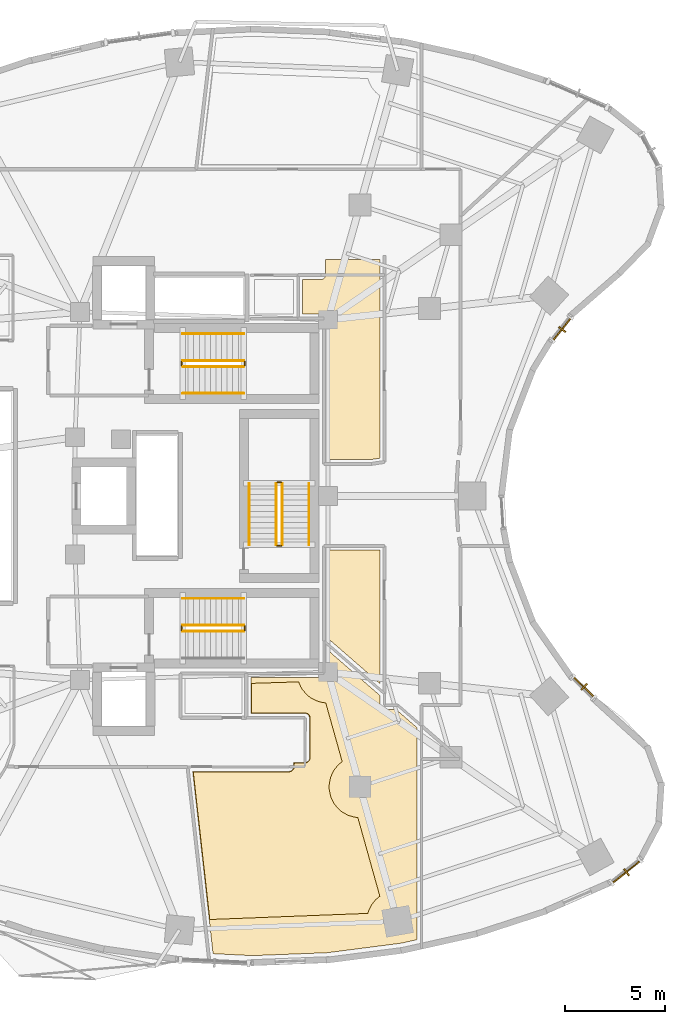
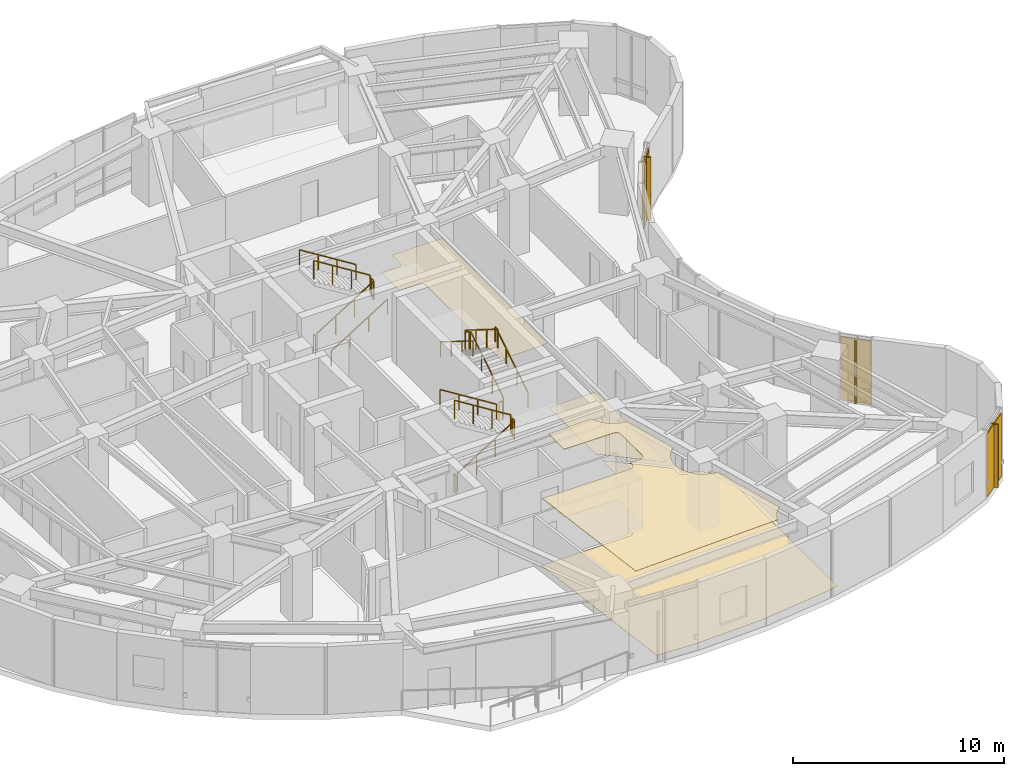
# One storey, part 14 of 15: 17 railings, 6 shading devices, 4 coverings.
"""IFC4 building model written with IfcOpenShell, lengths in metres."""

import ifcopenshell
import ifcopenshell.guid

model = None  # the IFC model being written
_history = None  # IfcOwnerHistory: only IFC2X3 demands one
_inside = {}  # id of a spatial element -> (the spatial element, [elements in it])
_under = {}  # id of a project, library or spatial element -> (it, [spatial elements below it])
_declared = {}  # id of a project -> (the project, [libraries it declares])
_typed = {}  # id of a type object -> (the type object, [elements of that type])
_made_of = {}  # id of a material, layer set ... -> (it, [elements and type objects made of it])


def new_model(schema):
    """Start an empty IFC model of exactly this schema.

    Asked for "IFC4X3", IfcOpenShell would pick the latest addendum, in which some entities
    have other attributes; the version numbers below select the first issue.
    IFC2X3 requires an IfcOwnerHistory on every rooted entity: one is made here for all.
    """
    global model, _history
    if schema == "IFC4X3":
        model = ifcopenshell.file(schema_version=(4, 3, 0, 0))
    else:
        model = ifcopenshell.file(schema=schema)
    _inside.clear()
    _under.clear()
    _declared.clear()
    _typed.clear()
    _made_of.clear()
    _history = None
    if model.schema == "IFC2X3":
        org = make("IfcOrganization", Name="unknown")
        user = make(
            "IfcPersonAndOrganization",
            ThePerson=make("IfcPerson", FamilyName="unknown"),
            TheOrganization=org,
        )
        app = make(
            "IfcApplication",
            ApplicationDeveloper=org,
            Version="unknown",
            ApplicationFullName="unknown",
            ApplicationIdentifier="unknown",
        )
        _history = make(
            "IfcOwnerHistory",
            OwningUser=user,
            OwningApplication=app,
            ChangeAction="ADDED",
            CreationDate=0,
        )
    return model


def make(cls, **values):
    """One entity of the class cls with the attributes given. An attribute that is None is left unset."""
    return model.create_entity(
        cls, **{name: value for name, value in values.items() if value is not None}
    )


def rooted(cls, **values):
    """An entity with a GlobalId (a new one), such as an element, a storey or a relation."""
    return make(cls, GlobalId=ifcopenshell.guid.new(), OwnerHistory=_history, **values)


def si_unit(unit_type, name, prefix=None):
    """IfcSIUnit, for example si_unit("LENGTHUNIT", "METRE", prefix="MILLI")."""
    return make("IfcSIUnit", UnitType=unit_type, Prefix=prefix, Name=name)


def assignment(units):
    """IfcUnitAssignment: the units of a project."""
    return None if units is None else make("IfcUnitAssignment", Units=units)


def point(xyz):
    """IfcCartesianPoint."""
    return None if xyz is None else make("IfcCartesianPoint", Coordinates=xyz)


def direction(xyz):
    """IfcDirection."""
    return None if xyz is None else make("IfcDirection", DirectionRatios=xyz)


def frame(location, z_axis=None, x_axis=None):
    """IfcAxis2Placement3D, a coordinate frame: its origin and axes. An axis left out is left unset."""
    return make(
        "IfcAxis2Placement3D",
        Location=point(location),
        Axis=direction(z_axis),
        RefDirection=direction(x_axis),
    )


def frame_2d(location, x_axis=None):
    """IfcAxis2Placement2D, a coordinate frame in the plane: its origin and x axis."""
    return make(
        "IfcAxis2Placement2D", Location=point(location), RefDirection=direction(x_axis)
    )


def origin():
    """The frame at (0, 0, 0) with its axes left unset."""
    return frame((0.0, 0.0, 0.0))


def origin_2d():
    """The frame at (0, 0) in the plane with its x axis left unset."""
    return frame_2d((0.0, 0.0))


def place(relative_to, where):
    """IfcLocalPlacement: puts the frame where relative to a parent placement (None: the world)."""
    return make(
        "IfcLocalPlacement", PlacementRelTo=relative_to, RelativePlacement=where
    )


def context(
    kind, dimensions, precision=None, world=None, true_north=None, identifier=None
):
    """IfcGeometricRepresentationContext, for example the 3D "Model" context."""
    return make(
        "IfcGeometricRepresentationContext",
        ContextIdentifier=identifier,
        ContextType=kind,
        CoordinateSpaceDimension=dimensions,
        Precision=precision,
        WorldCoordinateSystem=world,
        TrueNorth=true_north,
    )


def subcontext(parent, identifier, kind, view, scale=None):
    """IfcGeometricRepresentationSubContext, for example "Body" below "Model"."""
    return make(
        "IfcGeometricRepresentationSubContext",
        ContextIdentifier=identifier,
        ContextType=kind,
        ParentContext=parent,
        TargetScale=scale,
        TargetView=view,
    )


def project(units=None, contexts=None):
    """IfcProject with its units and contexts."""
    return rooted(
        "IfcProject",
        Name="project",
        RepresentationContexts=contexts,
        UnitsInContext=assignment(units),
    )


def spatial(cls, under=None, at=None, **own):
    """A site, building, storey or space (cls), placed at a placement, below another one or the project."""
    s = rooted(cls, ObjectPlacement=at, **own)
    if under is not None:
        _under.setdefault(under.id(), (under, []))[1].append(s)
    return s


def polyline(points):
    """IfcPolyline through the points."""
    return make("IfcPolyline", Points=[point(p) for p in points])


def profile(cls, at=None, kind="AREA", **sizes):
    """A parametric profile (cls). Its sizes go by their IFC names, for example OverallWidth=200.0."""
    return make(cls, ProfileType=kind, Position=at, **sizes)


def rectangle(**sizes):
    """IfcRectangleProfileDef."""
    return profile("IfcRectangleProfileDef", **sizes)


def outline(outer, holes=None, kind="AREA"):
    """IfcArbitraryClosedProfileDef: a profile drawn as a closed curve; with holes, ...WithVoids."""
    if holes is None:
        return make("IfcArbitraryClosedProfileDef", ProfileType=kind, OuterCurve=outer)
    return make(
        "IfcArbitraryProfileDefWithVoids",
        ProfileType=kind,
        OuterCurve=outer,
        InnerCurves=holes,
    )


def extrude(swept, where, along, depth):
    """IfcExtrudedAreaSolid: the profile swept, set in the frame where, extruded along a direction by depth."""
    return make(
        "IfcExtrudedAreaSolid",
        SweptArea=swept,
        Position=where,
        ExtrudedDirection=direction(along),
        Depth=depth,
    )


def shape(context_of_items, identifier, shape_type, items):
    """IfcShapeRepresentation: the items that make up one representation, for example the "Body"."""
    return make(
        "IfcShapeRepresentation",
        ContextOfItems=context_of_items,
        RepresentationIdentifier=identifier,
        RepresentationType=shape_type,
        Items=items,
    )


def material(Name=None, Category=None):
    """IfcMaterial."""
    return make("IfcMaterial", Name=Name, Category=Category)


def layer(
    of_material, thickness, ventilated=None, Name=None, Category=None, Priority=None
):
    """IfcMaterialLayer: one layer of a wall or slab, of a material (None: an air gap)."""
    return make(
        "IfcMaterialLayer",
        Material=of_material,
        LayerThickness=thickness,
        IsVentilated=ventilated,
        Name=Name,
        Category=Category,
        Priority=Priority,
    )


def layer_set(layers, Name=None):
    """IfcMaterialLayerSet."""
    return make("IfcMaterialLayerSet", MaterialLayers=layers, LayerSetName=Name)


def made_of(thing, what):
    """Note that an element or type object is made of a material, layer set ...; save() writes the relation."""
    if what is not None:
        _made_of.setdefault(what.id(), (what, []))[1].append(thing)
    return thing


def type_object(cls, material=None, **own):
    """A type object (cls), such as IfcWallType, which elements share."""
    return made_of(rooted(cls, **own), material)


def element(
    cls,
    number,
    at=None,
    inside=None,
    cuts=None,
    type_object=None,
    material=None,
    context=None,
    identifier="Body",
    shape_type=None,
    held_by="IfcProductDefinitionShape",
    body=None,
    shapes=None,
    **own,
):
    """One element of the class cls, such as IfcWall. Its Tag is "e" and its number.

    at: its placement. inside: the storey or other place that contains it. cuts: it is an
    opening in that element (IfcRelVoidsElement). A single representation is given by context,
    identifier, shape_type and body (its items); several are given by shapes. held_by: the class
    of the entity that holds the representations. save() writes the other relations.
    """
    e = rooted(cls, Tag="e%d" % number, ObjectPlacement=at, **own)
    if body is not None:
        shapes = [shape(context, identifier, shape_type, body)]
    if shapes is not None:
        e.Representation = make(held_by, Representations=shapes)
    if inside is not None:
        _inside.setdefault(inside.id(), (inside, []))[1].append(e)
    if cuts is not None:
        rooted(
            "IfcRelVoidsElement", RelatingBuildingElement=cuts, RelatedOpeningElement=e
        )
    if type_object is not None:
        _typed.setdefault(type_object.id(), (type_object, []))[1].append(e)
    return made_of(e, material)


def aggregate(whole, parts):
    """IfcRelAggregates: a whole, such as a stair, and the parts it consists of."""
    return rooted("IfcRelAggregates", RelatingObject=whole, RelatedObjects=parts)


def save(model, path):
    """Write the relations noted so far, then the file.

    IfcRelAggregates (storeys below a building ...), IfcRelContainedInSpatialStructure (elements
    in a storey), IfcRelDefinesByType, IfcRelAssociatesMaterial and IfcRelDeclares: one each for
    every whole, place, type object, material and project.
    """
    for whole, parts in _under.values():
        aggregate(whole, parts)
    for where, things in _inside.values():
        rooted(
            "IfcRelContainedInSpatialStructure",
            RelatedElements=things,
            RelatingStructure=where,
        )
    for kind, things in _typed.values():
        rooted("IfcRelDefinesByType", RelatedObjects=things, RelatingType=kind)
    for what, things in _made_of.values():
        rooted("IfcRelAssociatesMaterial", RelatedObjects=things, RelatingMaterial=what)
    for by, libraries in _declared.values():
        rooted("IfcRelDeclares", RelatingContext=by, RelatedDefinitions=libraries)
    model.write(path)


model = new_model("IFC4")

# Units and contexts
model_context = context("Model", 3, precision=1e-05, world=origin(), true_north=direction((0.0, 1.0)))
body_context = subcontext(model_context, "Body", "Model", "MODEL_VIEW")
ifc_project = project(units=[si_unit("LENGTHUNIT", "METRE"), si_unit("AREAUNIT", "SQUARE_METRE"), si_unit("VOLUMEUNIT", "CUBIC_METRE"), si_unit("PLANEANGLEUNIT", "RADIAN"), si_unit("MASSUNIT", "GRAM", prefix="KILO")], contexts=[model_context])

# Site, building, storey
site_placement = place(None, origin())
site = spatial("IfcSite", under=ifc_project, at=site_placement, CompositionType="ELEMENT")
building_placement = place(site_placement, origin())
building = spatial("IfcBuilding", under=site, at=building_placement, Name="Korentha Bioscience Tower", CompositionType="ELEMENT")
storey_placement = place(building_placement, frame((0.0, 0.0, 72.0)))
storey = spatial("IfcBuildingStorey", under=building, at=storey_placement, Name="L16", CompositionType="ELEMENT", Elevation=72.0)

# Railings
ifc_material_1 = material(Name="Stainless Steel 304", Category="steel")
railing_type_1 = type_object("IfcRailingType", Name="Brushed Stainless Stair Handrail 900", PredefinedType="HANDRAIL", material=ifc_material_1)
railing_1_placement = place(storey_placement, frame((30.25, 32.14990234375, 0.175048828125)))
element("IfcRailing", 1, at=railing_1_placement, inside=storey, type_object=railing_type_1, Name="L16 ST-1 stair handrail 1", PredefinedType="HANDRAIL", context=body_context, shape_type="SweptSolid", body=[
    extrude(rectangle(XDim=0.048095703125, YDim=0.048095703125, at=origin_2d()), frame((0.0, 0.0, 0.8759765625), z_axis=(0.847998304005, 0.0, 0.529998940003), x_axis=(0.0, 1.0, 0.0)), (0.0, 0.0, 1.0), 3.632080078125),
    extrude(rectangle(XDim=0.0419921875, YDim=0.0419921875, at=origin_2d()), origin(), (0.0, 0.0, 1.0), 0.851806640625),
    extrude(rectangle(XDim=0.0419921875, YDim=0.0419921875, at=origin_2d()), frame((1.026611328125, 0.0, 0.6416015625)), (0.0, 0.0, 1.0), 0.851806640625),
    extrude(rectangle(XDim=0.0419921875, YDim=0.0419921875, at=origin_2d()), frame((2.053466796875, 0.0, 1.283447265625)), (0.0, 0.0, 1.0), 0.851806640625),
    extrude(rectangle(XDim=0.0419921875, YDim=0.0419921875, at=origin_2d()), frame((3.080078125, 0.0, 1.925048828125)), (0.0, 0.0, 1.0), 0.851806640625),
])
for number, where, name in (
    (2, (33.330078125, 35.14990234375, 2.27490234375), "L16 ST-1 stair handrail 2"),
    (3, (33.330078125, 21.85009765625, 2.27490234375), "L16 ST-2 stair handrail 2"),
):
    element("IfcRailing", number, at=place(storey_placement, frame(where)), inside=storey, type_object=railing_type_1, Name=name, PredefinedType="HANDRAIL", context=body_context, shape_type="SweptSolid", body=[
        extrude(rectangle(XDim=0.048095703125, YDim=0.048095703125, at=origin_2d()), frame((0.0, 0.0, 0.8759765625), z_axis=(-0.847998304005, 0.0, 0.529998940003), x_axis=(0.0, -1.0, 0.0)), (0.0, 0.0, 1.0), 3.632080078125),
        extrude(rectangle(XDim=0.0419921875, YDim=0.0419921875, at=origin_2d()), origin(), (0.0, 0.0, 1.0), 0.851806640625),
        extrude(rectangle(XDim=0.0419921875, YDim=0.0419921875, at=origin_2d()), frame((-1.026611328125, 0.0, 0.6416015625)), (0.0, 0.0, 1.0), 0.851806640625),
        extrude(rectangle(XDim=0.0419921875, YDim=0.0419921875, at=origin_2d()), frame((-2.053466796875, 0.0, 1.283447265625)), (0.0, 0.0, 1.0), 0.851806640625),
        extrude(rectangle(XDim=0.0419921875, YDim=0.0419921875, at=origin_2d()), frame((-3.080078125, 0.0, 1.925048828125)), (0.0, 0.0, 1.0), 0.851806640625),
    ])
railing_2_placement = place(storey_placement, frame((36.60009765625, 24.550048828125, 0.175048828125)))
element("IfcRailing", 4, at=railing_2_placement, inside=storey, type_object=railing_type_1, Name="L16 ST-3 stair handrail 1", PredefinedType="HANDRAIL", context=body_context, shape_type="SweptSolid", body=[
    extrude(rectangle(XDim=0.048095703125, YDim=0.048095703125, at=origin_2d()), frame((0.0, 0.0, 0.8759765625), z_axis=(0.0, 0.847979421464, 0.530029150871), x_axis=(-1.0, 0.0, 0.0)), (0.0, 0.0, 1.0), 3.632080078125),
    extrude(rectangle(XDim=0.0419921875, YDim=0.0419921875, at=origin_2d()), origin(), (0.0, 0.0, 1.0), 0.851806640625),
    extrude(rectangle(XDim=0.0419921875, YDim=0.0419921875, at=origin_2d()), frame((0.0, 1.026611328125, 0.6416015625)), (0.0, 0.0, 1.0), 0.851806640625),
    extrude(rectangle(XDim=0.0419921875, YDim=0.0419921875, at=origin_2d()), frame((0.0, 2.05322265625, 1.283447265625)), (0.0, 0.0, 1.0), 0.851806640625),
    extrude(rectangle(XDim=0.0419921875, YDim=0.0419921875, at=origin_2d()), frame((0.0, 3.079833984375, 1.925048828125)), (0.0, 0.0, 1.0), 0.851806640625),
])
railing_3_placement = place(storey_placement, frame((33.60009765625, 27.6298828125, 2.27490234375)))
element("IfcRailing", 5, at=railing_3_placement, inside=storey, type_object=railing_type_1, Name="L16 ST-3 stair handrail 2", PredefinedType="HANDRAIL", context=body_context, shape_type="SweptSolid", body=[
    extrude(rectangle(XDim=0.048095703125, YDim=0.048095703125, at=origin_2d()), frame((0.0, 0.0, 0.8759765625), z_axis=(0.0, -0.847979421464, 0.530029150871), x_axis=(1.0, 0.0, 0.0)), (0.0, 0.0, 1.0), 3.632080078125),
    extrude(rectangle(XDim=0.0419921875, YDim=0.0419921875, at=origin_2d()), origin(), (0.0, 0.0, 1.0), 0.851806640625),
    extrude(rectangle(XDim=0.0419921875, YDim=0.0419921875, at=origin_2d()), frame((0.0, -1.026611328125, 0.6416015625)), (0.0, 0.0, 1.0), 0.851806640625),
    extrude(rectangle(XDim=0.0419921875, YDim=0.0419921875, at=origin_2d()), frame((0.0, -2.05322265625, 1.283447265625)), (0.0, 0.0, 1.0), 0.851806640625),
    extrude(rectangle(XDim=0.0419921875, YDim=0.0419921875, at=origin_2d()), frame((0.0, -3.079833984375, 1.925048828125)), (0.0, 0.0, 1.0), 0.851806640625),
])

# Covering
ifc_material_2 = material(Name="Antimicrobial Mineral Fibre Board", Category="gypsum")
ifc_layer_1 = layer(ifc_material_2, 0.034912109375, Name="Antimicrobial Mineral Fibre Board")
ifc_layer_set_1 = layer_set([ifc_layer_1], Name="Antimicrobial Mineral Fibre Board (CL-MF35)")
covering_type_1 = type_object("IfcCoveringType", Name="Mineral-Fibre Cleanroom Suspended Ceiling 35", PredefinedType="CEILING", material=ifc_layer_set_1)
covering_1_placement = place(storey_placement, frame((0.0, 0.0, 3.864990234375)))
element("IfcCovering", 6, at=covering_1_placement, inside=storey, type_object=covering_type_1, Name="L16 Senior Scientist Corner Office 05 Acoustic Ceiling", PredefinedType="CEILING", context=body_context, shape_type="SweptSolid", body=[
    extrude(outline(polyline([(35.6123046875, 13.140380859375), (35.734130859375, 13.17724609375), (35.8232421875, 13.266845703125), (35.857177734375, 13.3623046875), (35.860107421875, 13.590087890625), (36.462646484375, 13.59765625), (36.57421875, 13.656982421875), (36.64453125, 13.761962890625), (36.659912109375, 13.85009765625), (36.659912109375, 15.85009765625), (36.63525390625, 15.960693359375), (36.554443359375, 16.05908203125), (36.4130859375, 16.109619140625), (33.7099609375, 16.110107421875), (33.7099609375, 17.58642578125), (36.080078125, 17.66259765625), (36.18310546875, 17.419189453125), (36.26123046875, 17.288818359375), (36.4541015625, 17.053955078125), (36.566650390625, 16.951904296875), (36.68896484375, 16.861083984375), (36.956787109375, 16.718017578125), (37.24755859375, 16.6298828125), (37.4423828125, 16.605224609375), (38.267333984375, 13.65673828125), (38.065185546875, 13.48828125), (37.872314453125, 13.25341796875), (37.794189453125, 13.123046875), (37.677978515625, 12.84228515625), (37.61865234375, 12.544189453125), (37.611083984375, 12.392333984375), (37.61865234375, 12.240478515625), (37.677978515625, 11.9423828125), (37.729248046875, 11.799072265625), (37.872314453125, 11.53125), (38.065185546875, 11.29638671875), (38.177978515625, 11.194091796875), (38.300048828125, 11.103515625), (38.568115234375, 10.960205078125), (38.85888671875, 10.8720703125), (39.053466796875, 10.84765625), (40.15869140625, 6.897705078125), (39.95654296875, 6.729248046875), (39.763671875, 6.494384765625), (39.62060546875, 6.2265625), (39.556884765625, 6.034423828125), (31.619384765625, 5.72607421875), (30.787841796875, 13.139892578125), (35.6123046875, 13.140380859375)])), origin(), (0.0, 0.0, 1.0), 0.034912109375),
])

# Railings
ifc_material_3 = material(Name="Painted Steel S275", Category="steel")
railing_type_2 = type_object("IfcRailingType", Name="Painted Steel Stair Well Guardrail 1100", PredefinedType="GUARDRAIL", material=ifc_material_3)
railing_4_placement = place(storey_placement, frame((30.25, 33.5, 0.175048828125)))
element("IfcRailing", 7, at=railing_4_placement, inside=storey, type_object=railing_type_2, Name="L16 ST-1 stair guard 1", PredefinedType="GUARDRAIL", context=body_context, shape_type="SweptSolid", body=[
    extrude(rectangle(XDim=0.048095703125, YDim=0.048095703125, at=origin_2d()), frame((0.0, 0.0, 1.076171875), z_axis=(0.847998304005, 0.0, 0.529998940003), x_axis=(0.0, 1.0, 0.0)), (0.0, 0.0, 1.0), 3.632080078125),
    extrude(rectangle(XDim=0.0419921875, YDim=0.0419921875, at=origin_2d()), origin(), (0.0, 0.0, 1.0), 1.052001953125),
    extrude(rectangle(XDim=0.0419921875, YDim=0.0419921875, at=origin_2d()), frame((1.026611328125, 0.0, 0.6416015625)), (0.0, 0.0, 1.0), 1.052001953125),
    extrude(rectangle(XDim=0.0419921875, YDim=0.0419921875, at=origin_2d()), frame((2.053466796875, 0.0, 1.283447265625)), (0.0, 0.0, 1.0), 1.052001953125),
    extrude(rectangle(XDim=0.0419921875, YDim=0.0419921875, at=origin_2d()), frame((3.080078125, 0.0, 1.925048828125)), (0.0, 0.0, 1.0), 1.052001953125),
])
railing_5_placement = place(storey_placement, frame((33.3798828125, 33.550048828125, 2.10009765625)))
element("IfcRailing", 8, at=railing_5_placement, inside=storey, type_object=railing_type_2, Name="L16 ST-1 stair guard 2", PredefinedType="GUARDRAIL", context=body_context, shape_type="SweptSolid", body=[
    extrude(rectangle(XDim=0.048095703125, YDim=0.048095703125, at=origin_2d()), frame((0.0, 0.0, 1.076171875), z_axis=(0.0, 1.0, 0.0), x_axis=(-1.0, 0.0, 0.0)), (0.0, 0.0, 1.0), 0.199951171875),
    extrude(rectangle(XDim=0.0419921875, YDim=0.0419921875, at=origin_2d()), origin(), (0.0, 0.0, 1.0), 1.052001953125),
    extrude(rectangle(XDim=0.0419921875, YDim=0.0419921875, at=origin_2d()), frame((0.0, 0.199951171875, 0.0)), (0.0, 0.0, 1.0), 1.052001953125),
])
railing_6_placement = place(storey_placement, frame((33.330078125, 33.800048828125, 2.27490234375)))
element("IfcRailing", 9, at=railing_6_placement, inside=storey, type_object=railing_type_2, Name="L16 ST-1 stair guard 3", PredefinedType="GUARDRAIL", context=body_context, shape_type="SweptSolid", body=[
    extrude(rectangle(XDim=0.048095703125, YDim=0.048095703125, at=origin_2d()), frame((0.0, 0.0, 1.076171875), z_axis=(-0.847998304005, 0.0, 0.529998940003), x_axis=(0.0, -1.0, 0.0)), (0.0, 0.0, 1.0), 3.632080078125),
    extrude(rectangle(XDim=0.0419921875, YDim=0.0419921875, at=origin_2d()), origin(), (0.0, 0.0, 1.0), 1.052001953125),
    extrude(rectangle(XDim=0.0419921875, YDim=0.0419921875, at=origin_2d()), frame((-1.026611328125, 0.0, 0.6416015625)), (0.0, 0.0, 1.0), 1.052001953125),
    extrude(rectangle(XDim=0.0419921875, YDim=0.0419921875, at=origin_2d()), frame((-2.053466796875, 0.0, 1.283447265625)), (0.0, 0.0, 1.0), 1.052001953125),
    extrude(rectangle(XDim=0.0419921875, YDim=0.0419921875, at=origin_2d()), frame((-3.080078125, 0.0, 1.925048828125)), (0.0, 0.0, 1.0), 1.052001953125),
])
railing_7_placement = place(storey_placement, frame((30.199951171875, 33.550048828125, 0.0)))
element("IfcRailing", 10, at=railing_7_placement, inside=storey, type_object=railing_type_2, Name="L16 ST-1 stair guard 4", PredefinedType="GUARDRAIL", context=body_context, shape_type="SweptSolid", body=[
    extrude(rectangle(XDim=0.048095703125, YDim=0.048095703125, at=origin_2d()), frame((0.0, 0.0, 1.076171875), z_axis=(0.0, 1.0, 0.0), x_axis=(-1.0, 0.0, 0.0)), (0.0, 0.0, 1.0), 0.199951171875),
    extrude(rectangle(XDim=0.0419921875, YDim=0.0419921875, at=origin_2d()), origin(), (0.0, 0.0, 1.0), 1.052001953125),
    extrude(rectangle(XDim=0.0419921875, YDim=0.0419921875, at=origin_2d()), frame((0.0, 0.199951171875, 0.0)), (0.0, 0.0, 1.0), 1.052001953125),
])
railing_8_placement = place(storey_placement, frame((30.25, 20.199951171875, 0.175048828125)))
element("IfcRailing", 11, at=railing_8_placement, inside=storey, type_object=railing_type_2, Name="L16 ST-2 stair guard 1", PredefinedType="GUARDRAIL", context=body_context, shape_type="SweptSolid", body=[
    extrude(rectangle(XDim=0.048095703125, YDim=0.048095703125, at=origin_2d()), frame((0.0, 0.0, 1.076171875), z_axis=(0.847998304005, 0.0, 0.529998940003), x_axis=(0.0, 1.0, 0.0)), (0.0, 0.0, 1.0), 3.632080078125),
    extrude(rectangle(XDim=0.0419921875, YDim=0.0419921875, at=origin_2d()), origin(), (0.0, 0.0, 1.0), 1.052001953125),
    extrude(rectangle(XDim=0.0419921875, YDim=0.0419921875, at=origin_2d()), frame((1.026611328125, 0.0, 0.6416015625)), (0.0, 0.0, 1.0), 1.052001953125),
    extrude(rectangle(XDim=0.0419921875, YDim=0.0419921875, at=origin_2d()), frame((2.053466796875, 0.0, 1.283447265625)), (0.0, 0.0, 1.0), 1.052001953125),
    extrude(rectangle(XDim=0.0419921875, YDim=0.0419921875, at=origin_2d()), frame((3.080078125, 0.0, 1.925048828125)), (0.0, 0.0, 1.0), 1.052001953125),
])
railing_9_placement = place(storey_placement, frame((33.3798828125, 20.25, 2.10009765625)))
element("IfcRailing", 12, at=railing_9_placement, inside=storey, type_object=railing_type_2, Name="L16 ST-2 stair guard 2", PredefinedType="GUARDRAIL", context=body_context, shape_type="SweptSolid", body=[
    extrude(rectangle(XDim=0.048095703125, YDim=0.048095703125, at=origin_2d()), frame((0.0, 0.0, 1.076171875), z_axis=(0.0, 1.0, 0.0), x_axis=(-1.0, 0.0, 0.0)), (0.0, 0.0, 1.0), 0.199951171875),
    extrude(rectangle(XDim=0.0419921875, YDim=0.0419921875, at=origin_2d()), origin(), (0.0, 0.0, 1.0), 1.052001953125),
    extrude(rectangle(XDim=0.0419921875, YDim=0.0419921875, at=origin_2d()), frame((0.0, 0.199951171875, 0.0)), (0.0, 0.0, 1.0), 1.052001953125),
])
railing_10_placement = place(storey_placement, frame((33.330078125, 20.5, 2.27490234375)))
element("IfcRailing", 13, at=railing_10_placement, inside=storey, type_object=railing_type_2, Name="L16 ST-2 stair guard 3", PredefinedType="GUARDRAIL", context=body_context, shape_type="SweptSolid", body=[
    extrude(rectangle(XDim=0.048095703125, YDim=0.048095703125, at=origin_2d()), frame((0.0, 0.0, 1.076171875), z_axis=(-0.847998304005, 0.0, 0.529998940003), x_axis=(0.0, -1.0, 0.0)), (0.0, 0.0, 1.0), 3.632080078125),
    extrude(rectangle(XDim=0.0419921875, YDim=0.0419921875, at=origin_2d()), origin(), (0.0, 0.0, 1.0), 1.052001953125),
    extrude(rectangle(XDim=0.0419921875, YDim=0.0419921875, at=origin_2d()), frame((-1.026611328125, 0.0, 0.6416015625)), (0.0, 0.0, 1.0), 1.052001953125),
    extrude(rectangle(XDim=0.0419921875, YDim=0.0419921875, at=origin_2d()), frame((-2.053466796875, 0.0, 1.283447265625)), (0.0, 0.0, 1.0), 1.052001953125),
    extrude(rectangle(XDim=0.0419921875, YDim=0.0419921875, at=origin_2d()), frame((-3.080078125, 0.0, 1.925048828125)), (0.0, 0.0, 1.0), 1.052001953125),
])
railing_11_placement = place(storey_placement, frame((30.199951171875, 20.25, 0.0)))
element("IfcRailing", 14, at=railing_11_placement, inside=storey, type_object=railing_type_2, Name="L16 ST-2 stair guard 4", PredefinedType="GUARDRAIL", context=body_context, shape_type="SweptSolid", body=[
    extrude(rectangle(XDim=0.048095703125, YDim=0.048095703125, at=origin_2d()), frame((0.0, 0.0, 1.076171875), z_axis=(0.0, 1.0, 0.0), x_axis=(-1.0, 0.0, 0.0)), (0.0, 0.0, 1.0), 0.199951171875),
    extrude(rectangle(XDim=0.0419921875, YDim=0.0419921875, at=origin_2d()), origin(), (0.0, 0.0, 1.0), 1.052001953125),
    extrude(rectangle(XDim=0.0419921875, YDim=0.0419921875, at=origin_2d()), frame((0.0, 0.199951171875, 0.0)), (0.0, 0.0, 1.0), 1.052001953125),
])
railing_12_placement = place(storey_placement, frame((35.25, 24.550048828125, 0.175048828125)))
element("IfcRailing", 15, at=railing_12_placement, inside=storey, type_object=railing_type_2, Name="L16 ST-3 stair guard 1", PredefinedType="GUARDRAIL", context=body_context, shape_type="SweptSolid", body=[
    extrude(rectangle(XDim=0.048095703125, YDim=0.048095703125, at=origin_2d()), frame((0.0, 0.0, 1.076171875), z_axis=(0.0, 0.847979421464, 0.530029150871), x_axis=(-1.0, 0.0, 0.0)), (0.0, 0.0, 1.0), 3.632080078125),
    extrude(rectangle(XDim=0.0419921875, YDim=0.0419921875, at=origin_2d()), origin(), (0.0, 0.0, 1.0), 1.052001953125),
    extrude(rectangle(XDim=0.0419921875, YDim=0.0419921875, at=origin_2d()), frame((0.0, 1.026611328125, 0.6416015625)), (0.0, 0.0, 1.0), 1.052001953125),
    extrude(rectangle(XDim=0.0419921875, YDim=0.0419921875, at=origin_2d()), frame((0.0, 2.05322265625, 1.283447265625)), (0.0, 0.0, 1.0), 1.052001953125),
    extrude(rectangle(XDim=0.0419921875, YDim=0.0419921875, at=origin_2d()), frame((0.0, 3.079833984375, 1.925048828125)), (0.0, 0.0, 1.0), 1.052001953125),
])
railing_13_placement = place(storey_placement, frame((35.199951171875, 27.679931640625, 2.10009765625)))
element("IfcRailing", 16, at=railing_13_placement, inside=storey, type_object=railing_type_2, Name="L16 ST-3 stair guard 2", PredefinedType="GUARDRAIL", context=body_context, shape_type="SweptSolid", body=[
    extrude(rectangle(XDim=0.048095703125, YDim=0.048095703125, at=origin_2d()), frame((0.0, 0.0, 1.076171875), z_axis=(-1.0, 0.0, 0.0), x_axis=(0.0, -1.0, 0.0)), (0.0, 0.0, 1.0), 0.199951171875),
    extrude(rectangle(XDim=0.0419921875, YDim=0.0419921875, at=origin_2d()), origin(), (0.0, 0.0, 1.0), 1.052001953125),
    extrude(rectangle(XDim=0.0419921875, YDim=0.0419921875, at=origin_2d()), frame((-0.199951171875, 0.0, 0.0)), (0.0, 0.0, 1.0), 1.052001953125),
])
railing_14_placement = place(storey_placement, frame((34.949951171875, 27.6298828125, 2.27490234375)))
element("IfcRailing", 17, at=railing_14_placement, inside=storey, type_object=railing_type_2, Name="L16 ST-3 stair guard 3", PredefinedType="GUARDRAIL", context=body_context, shape_type="SweptSolid", body=[
    extrude(rectangle(XDim=0.048095703125, YDim=0.048095703125, at=origin_2d()), frame((0.0, 0.0, 1.076171875), z_axis=(0.0, -0.847979421464, 0.530029150871), x_axis=(1.0, 0.0, 0.0)), (0.0, 0.0, 1.0), 3.632080078125),
    extrude(rectangle(XDim=0.0419921875, YDim=0.0419921875, at=origin_2d()), origin(), (0.0, 0.0, 1.0), 1.052001953125),
    extrude(rectangle(XDim=0.0419921875, YDim=0.0419921875, at=origin_2d()), frame((0.0, -1.026611328125, 0.6416015625)), (0.0, 0.0, 1.0), 1.052001953125),
    extrude(rectangle(XDim=0.0419921875, YDim=0.0419921875, at=origin_2d()), frame((0.0, -2.05322265625, 1.283447265625)), (0.0, 0.0, 1.0), 1.052001953125),
    extrude(rectangle(XDim=0.0419921875, YDim=0.0419921875, at=origin_2d()), frame((0.0, -3.079833984375, 1.925048828125)), (0.0, 0.0, 1.0), 1.052001953125),
])
railing_15_placement = place(storey_placement, frame((35.199951171875, 24.5, 0.0)))
element("IfcRailing", 18, at=railing_15_placement, inside=storey, type_object=railing_type_2, Name="L16 ST-3 stair guard 4", PredefinedType="GUARDRAIL", context=body_context, shape_type="SweptSolid", body=[
    extrude(rectangle(XDim=0.048095703125, YDim=0.048095703125, at=origin_2d()), frame((0.0, 0.0, 1.076171875), z_axis=(-1.0, 0.0, 0.0), x_axis=(0.0, -1.0, 0.0)), (0.0, 0.0, 1.0), 0.199951171875),
    extrude(rectangle(XDim=0.0419921875, YDim=0.0419921875, at=origin_2d()), origin(), (0.0, 0.0, 1.0), 1.052001953125),
    extrude(rectangle(XDim=0.0419921875, YDim=0.0419921875, at=origin_2d()), frame((-0.199951171875, 0.0, 0.0)), (0.0, 0.0, 1.0), 1.052001953125),
])

# Shading devices
ifc_material_4 = material(Name="Perforated Stone-Ceramic Composite", Category="masonry")
ifc_layer_2 = layer(ifc_material_4, 0.06494140625, Name="Perforated Stone-Ceramic Composite")
ifc_layer_set_2 = layer_set([ifc_layer_2], Name="Perforated Stone-Ceramic Composite (CS-01)")
shading_device_type_1 = type_object("IfcShadingDeviceType", Name="Perforated Stone-Ceramic Solar Screen Panel 65", PredefinedType="USERDEFINED", material=ifc_layer_set_2)
shading_device_placement = place(storey_placement, frame((52.5380859375, 8.11328125, 0.0), z_axis=(0.0, 0.0, 1.0), x_axis=(0.782287851332, 0.62291710336, 0.0)))
element("IfcShadingDevice", 19, at=shading_device_placement, inside=storey, type_object=shading_device_type_1, Name="CW-L16-37 Perforated Stone-Ceramic Solar Screen", ObjectType="SCREEN", PredefinedType="USERDEFINED", context=body_context, shape_type="SweptSolid", body=[
    extrude(rectangle(XDim=1.927734375, YDim=0.06494140625, at=origin_2d()), origin(), (0.0, 0.0, 1.0), 3.64990234375),
])
for number, where, z_axis, x_axis, name in (
    (20, (50.4033203125, 17.406982421875, 0.0), (0.0, 0.0, 1.0), (-0.713279246754, 0.700879958445, 0.0), "CW-L16-43 Perforated Stone-Ceramic Solar Screen"),
    (21, (49.3046875, 35.37255859375, 0.0), (0.0, 0.0, 1.0), (0.622520324648, 0.782603632371, 0.0), "CW-L16-55 Perforated Stone-Ceramic Solar Screen"),
):
    element("IfcShadingDevice", number, at=place(storey_placement, frame(where, z_axis=z_axis, x_axis=x_axis)), inside=storey, type_object=shading_device_type_1, Name=name, ObjectType="SCREEN", PredefinedType="USERDEFINED", context=body_context, shape_type="SweptSolid", body=[
        extrude(rectangle(XDim=1.537841796875, YDim=0.06494140625, at=origin_2d()), origin(), (0.0, 0.0, 1.0), 3.64990234375),
    ])

# Coverings
ifc_material_5 = material(Name="Chemical-Resistant Epoxy Resin", Category="polymer")
ifc_layer_3 = layer(ifc_material_5, 0.011962890625, Name="Chemical-Resistant Epoxy Resin")
ifc_layer_set_3 = layer_set([ifc_layer_3], Name="Chemical-Resistant Epoxy Resin (FL-EPX)")
covering_type_2 = type_object("IfcCoveringType", Name="Seamless Epoxy Laboratory Flooring 12", PredefinedType="FLOORING", material=ifc_layer_set_3)
covering_2_placement = place(storey_placement, origin())
element("IfcCovering", 22, at=covering_2_placement, inside=storey, type_object=covering_type_2, Name="L16 Senior Scientist Corner Office 05 Floor Finish", PredefinedType="FLOORING", context=body_context, shape_type="SweptSolid", body=[
    extrude(outline(polyline([(30.75439453125, 13.169921875), (35.61181640625, 13.17041015625), (35.71875, 13.202880859375), (35.8076171875, 13.30126953125), (35.82958984375, 13.38818359375), (35.830078125, 13.6201171875), (36.411865234375, 13.620361328125), (36.497802734375, 13.641845703125), (36.55419921875, 13.67919921875), (36.608154296875, 13.752197265625), (36.6298828125, 13.85009765625), (36.6298828125, 15.85009765625), (36.5849609375, 15.986572265625), (36.517822265625, 16.047607421875), (36.410888671875, 16.07958984375), (33.679931640625, 16.080078125), (33.679931640625, 17.8701171875), (37.35009765625, 17.8701171875), (37.427001953125, 17.88330078125), (37.520751953125, 17.94580078125), (37.57763671875, 18.066650390625), (37.580078125, 19.224365234375), (40.169921875, 16.972900390625), (40.17236328125, 16.466796875), (40.1923828125, 16.401123046875), (40.245849609375, 16.329345703125), (40.302001953125, 16.2919921875), (40.38818359375, 16.270263671875), (40.978759765625, 16.27001953125), (42.02783203125, 15.35791015625), (42.028076171875, 4.714111328125), (41.2451171875, 4.538818359375), (37.526611328125, 4.057861328125), (33.75634765625, 3.9111328125), (31.78173828125, 4.0107421875), (30.75439453125, 13.169921875)])), origin(), (0.0, 0.0, 1.0), 0.011962890625),
])
covering_3_placement = place(storey_placement, origin())
element("IfcCovering", 23, at=covering_3_placement, inside=storey, type_object=covering_type_2, Name="L16 Daylight Break and Coffee Bar 07 Floor Finish", PredefinedType="FLOORING", context=body_context, shape_type="SweptSolid", body=[
    extrude(outline(polyline([(40.169921875, 17.569091796875), (37.58642578125, 19.815185546875), (37.580322265625, 24.278076171875), (40.169921875, 24.278076171875), (40.169921875, 17.569091796875)])), origin(), (0.0, 0.0, 1.0), 0.011962890625),
])
covering_4_placement = place(storey_placement, origin())
element("IfcCovering", 24, at=covering_4_placement, inside=storey, type_object=covering_type_2, Name="L16 Immunology Flow-Cytometry Laboratory 09 Floor Finish", PredefinedType="FLOORING", context=body_context, shape_type="SweptSolid", body=[
    extrude(outline(polyline([(37.580078125, 28.830078125), (37.57763671875, 35.933349609375), (37.52001953125, 36.0546875), (37.44873046875, 36.107666015625), (37.38427734375, 36.12744140625), (36.280029296875, 36.1298828125), (36.280029296875, 37.8701171875), (37.2119140625, 37.870361328125), (37.27783203125, 37.883544921875), (37.35400390625, 37.92919921875), (37.40771484375, 38.001220703125), (37.4296875, 38.088134765625), (37.429931640625, 38.8701171875), (40.169921875, 38.8701171875), (40.169921875, 28.897705078125), (39.716552734375, 28.830078125), (37.580078125, 28.830078125)])), origin(), (0.0, 0.0, 1.0), 0.011962890625),
])

# Shading devices
ifc_material_6 = material(Name="Honed Travertine Limestone", Category="masonry")
ifc_layer_4 = layer(ifc_material_6, 0.080078125, Name="Honed Travertine Limestone")
ifc_layer_set_4 = layer_set([ifc_layer_4], Name="Honed Travertine Limestone (CS-02)")
shading_device_type_2 = type_object("IfcShadingDeviceType", Name="Vertical Honed Limestone Sunshade Fin 80x420", PredefinedType="USERDEFINED", material=ifc_layer_set_4)
for number, where, z_axis, x_axis, name in (
    (25, (52.550537109375, 8.09765625, 0.0), (0.0, 0.0, 1.0), (0.782287851332, 0.62291710336, 0.0), "CW-L16-37 Limestone Sunshade Fin"),
    (26, (50.41748046875, 17.42138671875, 0.0), (0.0, 0.0, 1.0), (-0.713279246754, 0.700879958445, 0.0), "CW-L16-43 Limestone Sunshade Fin"),
    (27, (49.3203125, 35.360107421875, 0.0), (0.0, 0.0, 1.0), (0.622520324648, 0.782603632371, 0.0), "CW-L16-55 Limestone Sunshade Fin"),
):
    element("IfcShadingDevice", number, at=place(storey_placement, frame(where, z_axis=z_axis, x_axis=x_axis)), inside=storey, type_object=shading_device_type_2, Name=name, ObjectType="SCREEN", PredefinedType="USERDEFINED", context=body_context, shape_type="SweptSolid", body=[
        extrude(rectangle(XDim=0.080078125, YDim=0.419921875, at=origin_2d()), origin(), (0.0, 0.0, 1.0), 3.64990234375),
    ])

save(model, "model.ifc")
